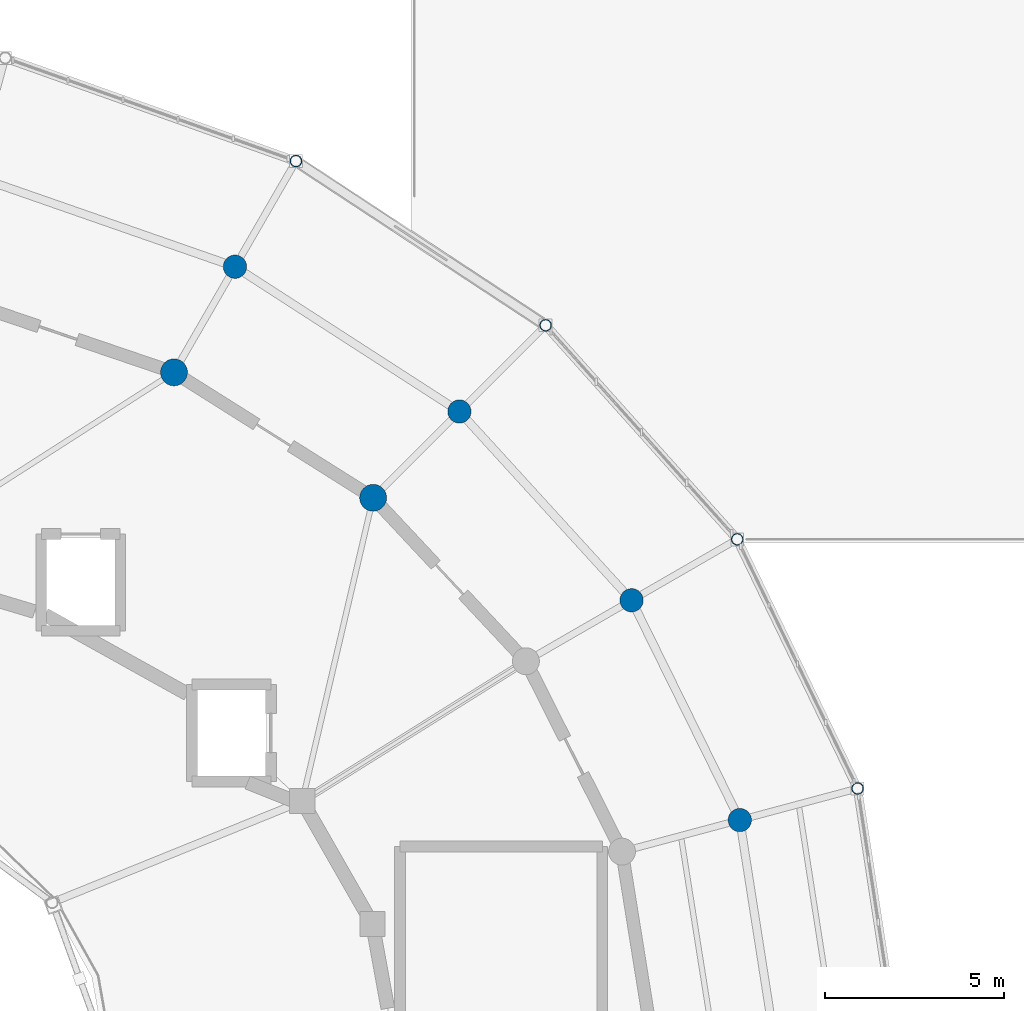
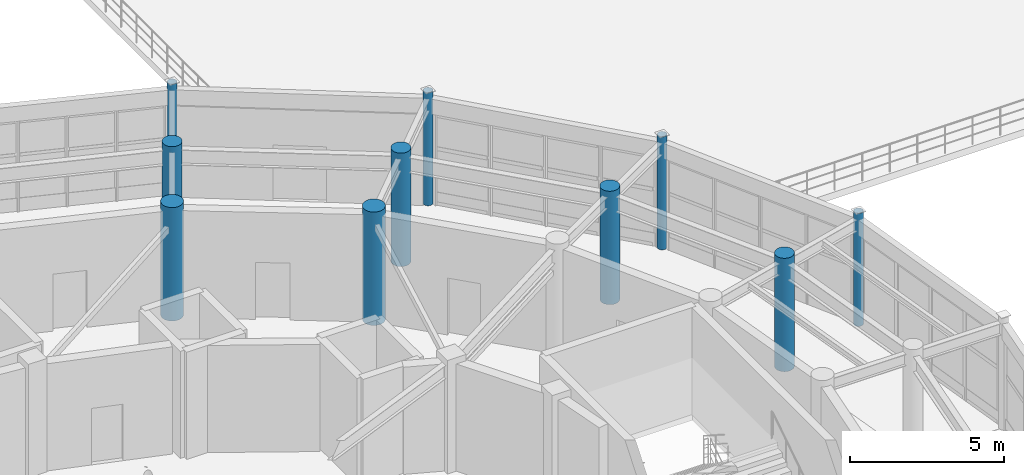
# One storey, part 13 of 60: 10 columns.
"""IFC4 building model written with IfcOpenShell, lengths in metres."""

from ifc_helpers import new_model, si_unit, direction, frame, origin, origin_2d, place, context, subcontext, project, spatial, circle, hollow_circle, extrude, material, material_profile, profile_set, type_object, element, save


model = new_model("IFC4")

# Units and contexts
model_context = context("Model", 3, precision=1e-05, world=origin(), true_north=direction((0.0, 1.0)))
body_context = subcontext(model_context, "Body", "Model", "MODEL_VIEW")
ifc_project = project(units=[si_unit("LENGTHUNIT", "METRE"), si_unit("AREAUNIT", "SQUARE_METRE"), si_unit("VOLUMEUNIT", "CUBIC_METRE"), si_unit("PLANEANGLEUNIT", "RADIAN"), si_unit("MASSUNIT", "GRAM", prefix="KILO")], contexts=[model_context])

# Site, building, storey
site_placement = place(None, origin())
site = spatial("IfcSite", under=ifc_project, at=site_placement, CompositionType="ELEMENT")
building_placement = place(site_placement, origin())
building = spatial("IfcBuilding", under=site, at=building_placement, Name="Cinderbank Siding Concert Hall", CompositionType="ELEMENT")
storey_placement = place(building_placement, frame((0.0, 0.0, 14.699951171875)))
storey = spatial("IfcBuildingStorey", under=building, at=storey_placement, Name="L04", CompositionType="ELEMENT", Elevation=14.699951171875)

# Columns
ifc_material_1 = material(Name="Structural steel hollow section AS/NZS 1163 Grade C350L0 (350 MPa)", Category="steel")
ifc_material_profile_1 = material_profile(ifc_material_1, hollow_circle(Radius=0.161865234375, WallThickness=0.0126953125, at=origin_2d()), Name="323.9x12.7CHS", Category="LoadBearing")
ifc_profile_set_1 = profile_set([ifc_material_profile_1], Name="Structural steel hollow section AS/NZS 1163 Grade C350L0 (350 MPa)")
column_type_1 = type_object("IfcColumnType", Name="C-CHS323 323.9x12.7CHS", PredefinedType="COLUMN", material=ifc_profile_set_1)
for number, where, z_axis, x_axis, name in (
    (1, (154.455078125, 51.4541015625, 0.0), (0.0, 0.0, 1.0), (1.0, 0.0, 0.0), "L04 Column COL-E4-02"),
    (2, (151.09912109375, 58.39990234375, 0.0), (0.0, 0.0, 1.0), (1.0, 0.0, 0.0), "L04 Column COL-E4-03"),
    (3, (145.759033203125, 64.364990234375, 0.0), (0.0, 0.0, 1.0), (1.0, 0.0, 0.0), "L04 Column COL-E4-04"),
    (4, (138.800048828125, 68.94189453125, 0.0), (0.0, 0.0, 1.0), (1.0, 0.0, 0.0), "L04 Column COL-E4-05"),
):
    element("IfcColumn", number, at=place(storey_placement, frame(where, z_axis=z_axis, x_axis=x_axis)), inside=storey, type_object=column_type_1, Name=name, PredefinedType="COLUMN", context=body_context, shape_type="SweptSolid", body=[
        extrude(hollow_circle(Radius=0.161865234375, WallThickness=0.0126953125, at=origin_2d()), origin(), (0.0, 0.0, 1.0), 4.47998046875),
    ])
ifc_material_2 = material(Name="Reinforced concrete AS 3600 N50 (50 MPa)", Category="concrete")
ifc_material_profile_2 = material_profile(ifc_material_2, circle(Radius=0.324951171875, at=origin_2d()), Name="RC-COL-650DIA", Category="LoadBearing")
ifc_profile_set_2 = profile_set([ifc_material_profile_2], Name="Reinforced concrete AS 3600 N50 (50 MPa)")
column_type_2 = type_object("IfcColumnType", Name="C-RCD650 RC-COL-650DIA", PredefinedType="COLUMN", material=ifc_profile_set_2)
for number, where, z_axis, x_axis, name in (
    (5, (151.1708984375, 50.573974609375, 0.0), (0.0, 0.0, 1.0), (1.0, 0.0, 0.0), "L04 Column COL-E3-02"),
    (6, (148.154052734375, 56.699951171875, 0.0), (0.0, 0.0, 1.0), (1.0, 0.0, 0.0), "L04 Column COL-E3-03"),
    (7, (143.35498046875, 61.9609375, 0.0), (0.0, 0.0, 1.0), (1.0, 0.0, 0.0), "L04 Column COL-E3-04"),
    (8, (137.10009765625, 65.9970703125, 0.0), (0.0, 0.0, 1.0), (1.0, 0.0, 0.0), "L04 Column COL-E3-05"),
):
    element("IfcColumn", number, at=place(storey_placement, frame(where, z_axis=z_axis, x_axis=x_axis)), inside=storey, type_object=column_type_2, Name=name, PredefinedType="COLUMN", context=body_context, shape_type="SweptSolid", body=[
        extrude(circle(Radius=0.324951171875, at=origin_2d()), origin(), (0.0, 0.0, 1.0), 4.5),
    ])
ifc_material_profile_3 = material_profile(ifc_material_2, circle(Radius=0.375, at=origin_2d()), Name="RC-COL-750DIA", Category="LoadBearing")
ifc_profile_set_3 = profile_set([ifc_material_profile_3], Name="Reinforced concrete AS 3600 N50 (50 MPa)")
column_type_3 = type_object("IfcColumnType", Name="C-RCD750 RC-COL-750DIA", PredefinedType="COLUMN", material=ifc_profile_set_3)
for number, where, z_axis, x_axis, name in (
    (9, (140.950927734375, 59.555908203125, 0.0), (0.0, 0.0, 1.0), (1.0, 0.0, 0.0), "L04 Column COL-E2-04"),
    (10, (135.39990234375, 63.052978515625, 0.0), (0.0, 0.0, 1.0), (1.0, 0.0, 0.0), "L04 Column COL-E2-05"),
):
    element("IfcColumn", number, at=place(storey_placement, frame(where, z_axis=z_axis, x_axis=x_axis)), inside=storey, type_object=column_type_3, Name=name, PredefinedType="COLUMN", context=body_context, shape_type="SweptSolid", body=[
        extrude(circle(Radius=0.375, at=origin_2d()), origin(), (0.0, 0.0, 1.0), 4.5),
    ])

save(model, "model.ifc")
